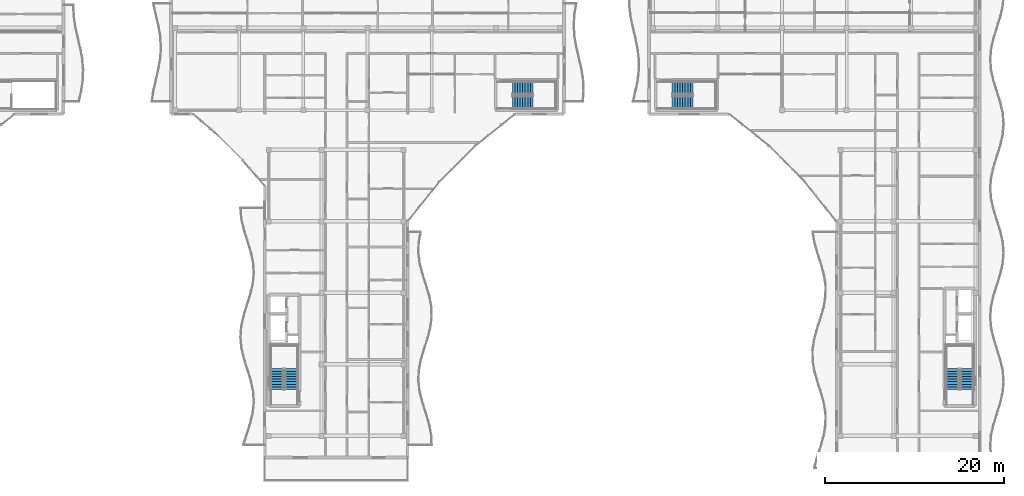
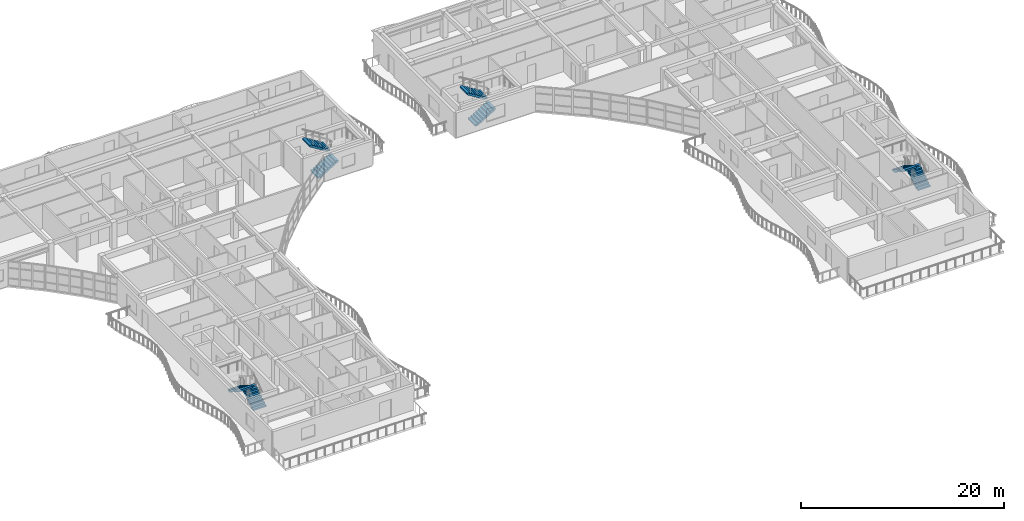
# One storey, part 36 of 49: 8 stair flights, 4 elements without a shape of their own.
"""IFC4 building model written with IfcOpenShell, lengths in metres."""

from ifc_helpers import new_model, si_unit, direction, frame, origin, place, context, subcontext, project, spatial, polyline, outline, extrude, material, type_object, element, aggregate, save


model = new_model("IFC4")

# Units and contexts
model_context = context("Model", 3, precision=1e-05, world=origin(), true_north=direction((0.0, 1.0)))
body_context = subcontext(model_context, "Body", "Model", "MODEL_VIEW")
ifc_project = project(units=[si_unit("LENGTHUNIT", "METRE"), si_unit("AREAUNIT", "SQUARE_METRE"), si_unit("VOLUMEUNIT", "CUBIC_METRE"), si_unit("PLANEANGLEUNIT", "RADIAN"), si_unit("MASSUNIT", "GRAM", prefix="KILO")], contexts=[model_context])

# Site, building, storey
site_placement = place(None, origin())
site = spatial("IfcSite", under=ifc_project, at=site_placement, CompositionType="ELEMENT")
building_placement = place(site_placement, origin())
building = spatial("IfcBuilding", under=site, at=building_placement, Name="Keldmere Railside Commons", CompositionType="ELEMENT")
storey_placement = place(building_placement, frame((0.0, 0.0, 29.760009765625)))
storey = spatial("IfcBuildingStorey", under=building, at=storey_placement, Name="L09", CompositionType="ELEMENT", Elevation=29.760009765625)

# Stair, stair flights
ifc_material = material(Name="Concrete H-30 (C30/37)", Category="concrete")
stair_type_1 = type_object("IfcStairType", Name="Basement Garage Dogleg Escape Stair 1450", PredefinedType="HALF_TURN_STAIR", material=ifc_material)
stair_1_placement = place(storey_placement, origin())
stair_1 = element("IfcStair", 1, at=stair_1_placement, inside=storey, type_object=stair_type_1, Name="L09 Block B Primary Escape Stair 1", PredefinedType="HALF_TURN_STAIR")
stair_flight_type_1 = type_object("IfcStairFlightType", Name="Basement Escape Stair Flight 1450", PredefinedType="STRAIGHT", material=ifc_material)
stair_flight_1_placement = place(storey_placement, frame((106.97509765625, 69.199951171875, 0.0), z_axis=(0.0, 0.0, 1.0), x_axis=(0.0, 1.0, 0.0)))
stair_flight_1 = element("IfcStairFlight", 2, at=stair_flight_1_placement, type_object=stair_flight_type_1, Name="ST-B1 flight 1", NumberOfRisers=9, NumberOfTreads=8, PredefinedType="STRAIGHT", RiserHeight=0.177777778, TreadLength=0.29, context=body_context, shape_type="SweptSolid", body=[
    extrude(outline(polyline([(0.0, 0.0), (0.0, 0.177734375), (0.2900390625, 0.177734375), (0.2900390625, 0.35546875), (0.580078125, 0.35546875), (0.580078125, 0.533447265625), (0.8701171875, 0.533447265625), (0.8701171875, 0.711181640625), (1.159912109375, 0.711181640625), (1.159912109375, 0.888916015625), (1.449951171875, 0.888916015625), (1.449951171875, 1.066650390625), (1.739990234375, 1.066650390625), (1.739990234375, 1.244384765625), (2.030029296875, 1.244384765625), (2.030029296875, 1.422119140625), (2.320068359375, 1.422119140625), (2.320068359375, 1.60009765625), (2.320068359375, 1.211181640625), (0.34423828125, 0.0), (0.0, 0.0)])), frame((0.0, 0.72509765625, 0.0), z_axis=(0.0, -1.0, 0.0), x_axis=(1.0, 0.0, 0.0)), (0.0, 0.0, 1.0), 1.449951171875),
])
stair_flight_2_placement = place(storey_placement, frame((105.375, 71.52001953125, 1.60009765625), z_axis=(0.0, 0.0, 1.0), x_axis=(0.0, -1.0, 0.0)))
stair_flight_2 = element("IfcStairFlight", 3, at=stair_flight_2_placement, type_object=stair_flight_type_1, Name="ST-B1 flight 2", NumberOfRisers=9, NumberOfTreads=8, PredefinedType="STRAIGHT", RiserHeight=0.177777778, TreadLength=0.29, context=body_context, shape_type="SweptSolid", body=[
    extrude(outline(polyline([(0.0, 0.0), (0.0, 0.177734375), (0.2900390625, 0.177734375), (0.2900390625, 0.35546875), (0.580078125, 0.35546875), (0.580078125, 0.533447265625), (0.8701171875, 0.533447265625), (0.8701171875, 0.711181640625), (1.159912109375, 0.711181640625), (1.159912109375, 0.888916015625), (1.449951171875, 0.888916015625), (1.449951171875, 1.066650390625), (1.739990234375, 1.066650390625), (1.739990234375, 1.244384765625), (2.030029296875, 1.244384765625), (2.030029296875, 1.422119140625), (2.320068359375, 1.422119140625), (2.320068359375, 1.60009765625), (2.320068359375, 1.211181640625), (0.34423828125, 0.0), (0.0, 0.0)])), frame((0.0, 0.72509765625, 0.0), z_axis=(0.0, -1.0, 0.0), x_axis=(1.0, 0.0, 0.0)), (0.0, 0.0, 1.0), 1.449951171875),
])
aggregate(stair_1, [stair_flight_1, stair_flight_2])

stair_2_placement = place(storey_placement, origin())
stair_2 = element("IfcStair", 4, at=stair_2_placement, inside=storey, type_object=stair_type_1, Name="L09 Block B Secondary Escape Stair 2", PredefinedType="HALF_TURN_STAIR")
stair_flight_3_placement = place(storey_placement, frame((131.699951171875, 101.324951171875, 0.0), z_axis=(0.0, 0.0, 1.0), x_axis=(1.0, 0.0, 0.0)))
stair_flight_3 = element("IfcStairFlight", 5, at=stair_flight_3_placement, type_object=stair_flight_type_1, Name="ST-B2 flight 1", NumberOfRisers=9, NumberOfTreads=8, PredefinedType="STRAIGHT", RiserHeight=0.177777778, TreadLength=0.29, context=body_context, shape_type="SweptSolid", body=[
    extrude(outline(polyline([(0.0, 0.0), (0.0, 0.177734375), (0.2900390625, 0.177734375), (0.2900390625, 0.35546875), (0.580078125, 0.35546875), (0.580078125, 0.533447265625), (0.8701171875, 0.533447265625), (0.8701171875, 0.711181640625), (1.159912109375, 0.711181640625), (1.159912109375, 0.888916015625), (1.449951171875, 0.888916015625), (1.449951171875, 1.066650390625), (1.739990234375, 1.066650390625), (1.739990234375, 1.244384765625), (2.030029296875, 1.244384765625), (2.030029296875, 1.422119140625), (2.320068359375, 1.422119140625), (2.320068359375, 1.60009765625), (2.320068359375, 1.211181640625), (0.34423828125, 0.0), (0.0, 0.0)])), frame((0.0, 0.72509765625, 0.0), z_axis=(0.0, -1.0, 0.0), x_axis=(1.0, 0.0, 0.0)), (0.0, 0.0, 1.0), 1.449951171875),
])
stair_flight_4_placement = place(storey_placement, frame((134.02001953125, 102.925048828125, 1.60009765625), z_axis=(0.0, 0.0, 1.0), x_axis=(-1.0, 0.0, 0.0)))
stair_flight_4 = element("IfcStairFlight", 6, at=stair_flight_4_placement, type_object=stair_flight_type_1, Name="ST-B2 flight 2", NumberOfRisers=9, NumberOfTreads=8, PredefinedType="STRAIGHT", RiserHeight=0.177777778, TreadLength=0.29, context=body_context, shape_type="SweptSolid", body=[
    extrude(outline(polyline([(0.0, 0.0), (0.0, 0.177734375), (0.2900390625, 0.177734375), (0.2900390625, 0.35546875), (0.580078125, 0.35546875), (0.580078125, 0.533447265625), (0.8701171875, 0.533447265625), (0.8701171875, 0.711181640625), (1.159912109375, 0.711181640625), (1.159912109375, 0.888916015625), (1.449951171875, 0.888916015625), (1.449951171875, 1.066650390625), (1.739990234375, 1.066650390625), (1.739990234375, 1.244384765625), (2.030029296875, 1.244384765625), (2.030029296875, 1.422119140625), (2.320068359375, 1.422119140625), (2.320068359375, 1.60009765625), (2.320068359375, 1.211181640625), (0.34423828125, 0.0), (0.0, 0.0)])), frame((0.0, 0.72509765625, 0.0), z_axis=(0.0, -1.0, 0.0), x_axis=(1.0, 0.0, 0.0)), (0.0, 0.0, 1.0), 1.449951171875),
])
aggregate(stair_2, [stair_flight_3, stair_flight_4])

stair_type_2 = type_object("IfcStairType", Name="Residential Core Dogleg Stair 1450", PredefinedType="HALF_TURN_STAIR", material=ifc_material)
stair_3_placement = place(storey_placement, origin())
stair_3 = element("IfcStair", 7, at=stair_3_placement, inside=storey, type_object=stair_type_2, Name="L09 Block A Primary Escape Stair 1", PredefinedType="HALF_TURN_STAIR")
stair_flight_type_2 = type_object("IfcStairFlightType", Name="Residential Core Stair Flight 1450", PredefinedType="STRAIGHT", material=ifc_material)
stair_flight_5_placement = place(storey_placement, frame((182.574951171875, 69.199951171875, 0.0), z_axis=(0.0, 0.0, 1.0), x_axis=(0.0, 1.0, 0.0)))
stair_flight_5 = element("IfcStairFlight", 8, at=stair_flight_5_placement, type_object=stair_flight_type_2, Name="ST-A1 flight 1", NumberOfRisers=9, NumberOfTreads=8, PredefinedType="STRAIGHT", RiserHeight=0.177777778, TreadLength=0.29, context=body_context, shape_type="SweptSolid", body=[
    extrude(outline(polyline([(0.0, 0.0), (0.0, 0.177734375), (0.2900390625, 0.177734375), (0.2900390625, 0.35546875), (0.580078125, 0.35546875), (0.580078125, 0.533447265625), (0.8701171875, 0.533447265625), (0.8701171875, 0.711181640625), (1.159912109375, 0.711181640625), (1.159912109375, 0.888916015625), (1.449951171875, 0.888916015625), (1.449951171875, 1.066650390625), (1.739990234375, 1.066650390625), (1.739990234375, 1.244384765625), (2.030029296875, 1.244384765625), (2.030029296875, 1.422119140625), (2.320068359375, 1.422119140625), (2.320068359375, 1.60009765625), (2.320068359375, 1.211181640625), (0.34423828125, 0.0), (0.0, 0.0)])), frame((0.0, 0.72509765625, 0.0), z_axis=(0.0, -1.0, 0.0), x_axis=(1.0, 0.0, 0.0)), (0.0, 0.0, 1.0), 1.449951171875),
])
stair_flight_6_placement = place(storey_placement, frame((180.97509765625, 71.52001953125, 1.60009765625), z_axis=(0.0, 0.0, 1.0), x_axis=(0.0, -1.0, 0.0)))
stair_flight_6 = element("IfcStairFlight", 9, at=stair_flight_6_placement, type_object=stair_flight_type_2, Name="ST-A1 flight 2", NumberOfRisers=9, NumberOfTreads=8, PredefinedType="STRAIGHT", RiserHeight=0.177777778, TreadLength=0.29, context=body_context, shape_type="SweptSolid", body=[
    extrude(outline(polyline([(0.0, 0.0), (0.0, 0.177734375), (0.2900390625, 0.177734375), (0.2900390625, 0.35546875), (0.580078125, 0.35546875), (0.580078125, 0.533447265625), (0.8701171875, 0.533447265625), (0.8701171875, 0.711181640625), (1.159912109375, 0.711181640625), (1.159912109375, 0.888916015625), (1.449951171875, 0.888916015625), (1.449951171875, 1.066650390625), (1.739990234375, 1.066650390625), (1.739990234375, 1.244384765625), (2.030029296875, 1.244384765625), (2.030029296875, 1.422119140625), (2.320068359375, 1.422119140625), (2.320068359375, 1.60009765625), (2.320068359375, 1.211181640625), (0.34423828125, 0.0), (0.0, 0.0)])), frame((0.0, 0.72509765625, 0.0), z_axis=(0.0, -1.0, 0.0), x_axis=(1.0, 0.0, 0.0)), (0.0, 0.0, 1.0), 1.449951171875),
])
aggregate(stair_3, [stair_flight_5, stair_flight_6])

stair_4_placement = place(storey_placement, origin())
stair_4 = element("IfcStair", 10, at=stair_4_placement, inside=storey, type_object=stair_type_2, Name="L09 Block A Secondary Escape Stair 2", PredefinedType="HALF_TURN_STAIR")
stair_flight_7_placement = place(storey_placement, frame((149.60009765625, 101.324951171875, 0.0), z_axis=(0.0, 0.0, 1.0), x_axis=(1.0, 0.0, 0.0)))
stair_flight_7 = element("IfcStairFlight", 11, at=stair_flight_7_placement, type_object=stair_flight_type_2, Name="ST-A2 flight 1", NumberOfRisers=9, NumberOfTreads=8, PredefinedType="STRAIGHT", RiserHeight=0.177777778, TreadLength=0.29, context=body_context, shape_type="SweptSolid", body=[
    extrude(outline(polyline([(0.0, 0.0), (0.0, 0.177734375), (0.2900390625, 0.177734375), (0.2900390625, 0.35546875), (0.580078125, 0.35546875), (0.580078125, 0.533447265625), (0.8701171875, 0.533447265625), (0.8701171875, 0.711181640625), (1.159912109375, 0.711181640625), (1.159912109375, 0.888916015625), (1.449951171875, 0.888916015625), (1.449951171875, 1.066650390625), (1.739990234375, 1.066650390625), (1.739990234375, 1.244384765625), (2.030029296875, 1.244384765625), (2.030029296875, 1.422119140625), (2.320068359375, 1.422119140625), (2.320068359375, 1.60009765625), (2.320068359375, 1.211181640625), (0.34423828125, 0.0), (0.0, 0.0)])), frame((0.0, 0.72509765625, 0.0), z_axis=(0.0, -1.0, 0.0), x_axis=(1.0, 0.0, 0.0)), (0.0, 0.0, 1.0), 1.449951171875),
])
stair_flight_8_placement = place(storey_placement, frame((151.919921875, 102.925048828125, 1.60009765625), z_axis=(0.0, 0.0, 1.0), x_axis=(-1.0, 0.0, 0.0)))
stair_flight_8 = element("IfcStairFlight", 12, at=stair_flight_8_placement, type_object=stair_flight_type_2, Name="ST-A2 flight 2", NumberOfRisers=9, NumberOfTreads=8, PredefinedType="STRAIGHT", RiserHeight=0.177777778, TreadLength=0.29, context=body_context, shape_type="SweptSolid", body=[
    extrude(outline(polyline([(0.0, 0.0), (0.0, 0.177734375), (0.2900390625, 0.177734375), (0.2900390625, 0.35546875), (0.580078125, 0.35546875), (0.580078125, 0.533447265625), (0.8701171875, 0.533447265625), (0.8701171875, 0.711181640625), (1.159912109375, 0.711181640625), (1.159912109375, 0.888916015625), (1.449951171875, 0.888916015625), (1.449951171875, 1.066650390625), (1.739990234375, 1.066650390625), (1.739990234375, 1.244384765625), (2.030029296875, 1.244384765625), (2.030029296875, 1.422119140625), (2.320068359375, 1.422119140625), (2.320068359375, 1.60009765625), (2.320068359375, 1.211181640625), (0.34423828125, 0.0), (0.0, 0.0)])), frame((0.0, 0.72509765625, 0.0), z_axis=(0.0, -1.0, 0.0), x_axis=(1.0, 0.0, 0.0)), (0.0, 0.0, 1.0), 1.449951171875),
])
aggregate(stair_4, [stair_flight_7, stair_flight_8])

save(model, "model.ifc")
